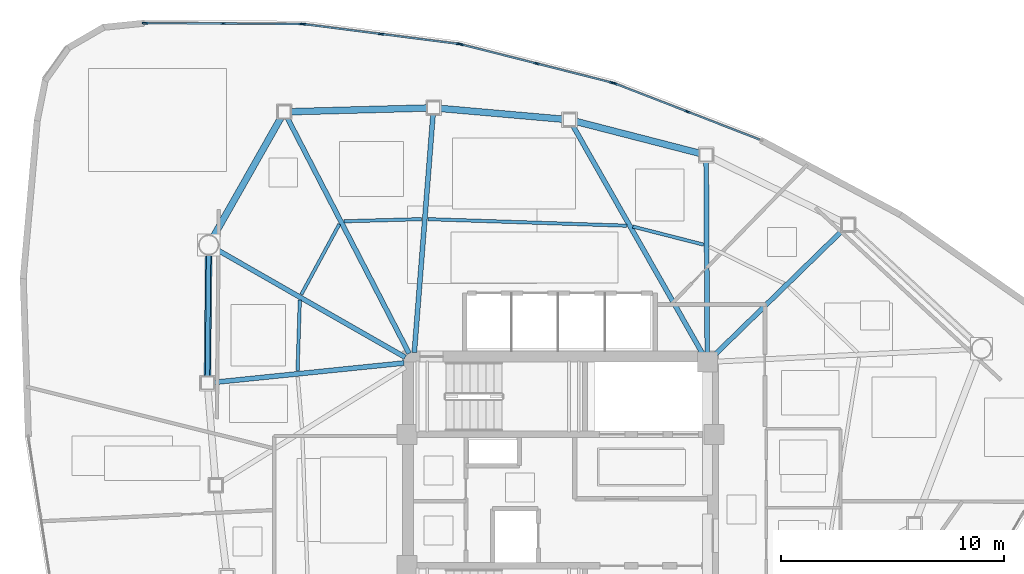
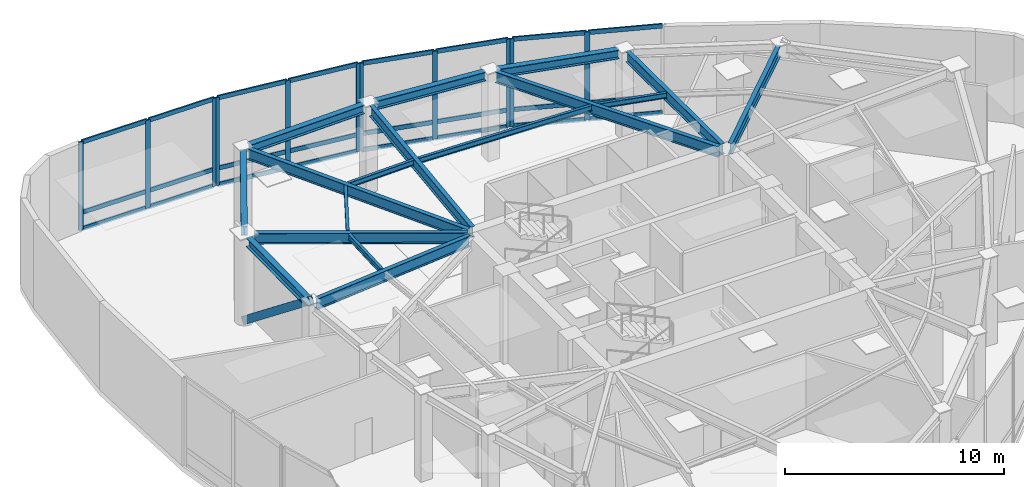
# One storey, part 5 of 12: 36 members, 17 beams, 4 elements without a shape of their own.
"""IFC4 building model written with IfcOpenShell, lengths in metres."""

from ifc_helpers import new_model, si_unit, direction, frame, origin, origin_2d, place, context, subcontext, project, spatial, hollow_rectangle, i_section, extrude, source, transform, mapped, material, layer, layer_set, material_profile, profile_set, type_object, type_shapes, element, aggregate, save


model = new_model("IFC4")

# Units and contexts
model_context = context("Model", 3, precision=1e-05, world=origin(), true_north=direction((0.0, 1.0)))
body_context = subcontext(model_context, "Body", "Model", "MODEL_VIEW")
ifc_project = project(units=[si_unit("LENGTHUNIT", "METRE"), si_unit("AREAUNIT", "SQUARE_METRE"), si_unit("VOLUMEUNIT", "CUBIC_METRE"), si_unit("PLANEANGLEUNIT", "RADIAN"), si_unit("MASSUNIT", "GRAM", prefix="KILO")], contexts=[model_context])

# Site, building, storey
site_placement = place(None, origin())
site = spatial("IfcSite", under=ifc_project, at=site_placement, CompositionType="ELEMENT")
building_placement = place(site_placement, origin())
building = spatial("IfcBuilding", under=site, at=building_placement, Name="Tavelor Broadcast Tower", CompositionType="ELEMENT")
storey_placement = place(building_placement, frame((0.0, 0.0, 216.949951171875)))
storey = spatial("IfcBuildingStorey", under=building, at=storey_placement, Name="L51", CompositionType="ELEMENT", Elevation=216.949951171875)

# Beams
ifc_material_1 = material(Name="Steel S355", Category="steel")
ifc_material_profile_1 = material_profile(ifc_material_1, i_section(OverallWidth=0.14990234375, OverallDepth=0.300048828125, WebThickness=0.007080078125, FlangeThickness=0.0107421875, at=origin_2d()), Name="IPE 300")
ifc_profile_set_1 = profile_set([ifc_material_profile_1], Name="Steel S355")
beam_type_1 = type_object("IfcBeamType", Name="Composite Floor Joist T5 IPE 300", PredefinedType="JOIST", material=ifc_profile_set_1)
beam_1_placement = place(storey_placement, frame((38.289794921875, 53.978515625, 4.75), z_axis=(-0.031859396157, -0.999492360589, 0.0), x_axis=(0.999492360589, -0.031859396157, 0.0)))
element("IfcBeam", 1, at=beam_1_placement, inside=storey, type_object=beam_type_1, Name="L51 Secondary Composite Floor Joist 01", PredefinedType="JOIST", context=body_context, shape_type="SweptSolid", body=[
    extrude(i_section(OverallWidth=0.14990234375, OverallDepth=0.300048828125, WebThickness=0.007080078125, FlangeThickness=0.0107421875, at=origin_2d()), origin(), (0.0, 0.0, 1.0), 3.172607421875),
])
beam_2_placement = place(storey_placement, frame((56.434326171875, 56.4736328125, 4.75), z_axis=(-0.968901023903, 0.247448592399, 0.0), x_axis=(-0.247448592399, -0.968901023903, 0.0)))
element("IfcBeam", 2, at=beam_2_placement, inside=storey, type_object=beam_type_1, Name="L51 Secondary Composite Floor Joist 15", PredefinedType="JOIST", context=body_context, shape_type="SweptSolid", body=[
    extrude(i_section(OverallWidth=0.14990234375, OverallDepth=0.300048828125, WebThickness=0.007080078125, FlangeThickness=0.0107421875, at=origin_2d()), origin(), (0.0, 0.0, 1.0), 3.283447265625),
])
beam_3_placement = place(storey_placement, frame((52.978515625, 57.3251953125, 4.75), z_axis=(-0.999455526468, 0.032994705837, 0.0), x_axis=(-0.032994705837, -0.999455526468, 0.0)))
element("IfcBeam", 3, at=beam_3_placement, inside=storey, type_object=beam_type_1, Name="L51 Secondary Composite Floor Joist 16", PredefinedType="JOIST", context=body_context, shape_type="SweptSolid", body=[
    extrude(i_section(OverallWidth=0.14990234375, OverallDepth=0.300048828125, WebThickness=0.007080078125, FlangeThickness=0.0107421875, at=origin_2d()), origin(), (0.0, 0.0, 1.0), 8.9384765625),
])
beam_4_placement = place(storey_placement, frame((43.76611328125, 57.620849609375, 4.75), z_axis=(-0.999611398275, -0.027875660324, 0.0), x_axis=(0.027875660324, -0.999611398275, 0.0)))
element("IfcBeam", 4, at=beam_4_placement, inside=storey, type_object=beam_type_1, Name="L51 Secondary Composite Floor Joist 17", PredefinedType="JOIST", context=body_context, shape_type="SweptSolid", body=[
    extrude(i_section(OverallWidth=0.14990234375, OverallDepth=0.300048828125, WebThickness=0.007080078125, FlangeThickness=0.0107421875, at=origin_2d()), origin(), (0.0, 0.0, 1.0), 3.49462890625),
])
beam_5_placement = place(storey_placement, frame((40.0673828125, 57.39697265625, 4.75), z_axis=(-0.475640833171, -0.879639584046, 0.0), x_axis=(0.879639584046, -0.475640833171, 0.0)))
element("IfcBeam", 5, at=beam_5_placement, inside=storey, type_object=beam_type_1, Name="L51 Secondary Composite Floor Joist 18", PredefinedType="JOIST", context=body_context, shape_type="SweptSolid", body=[
    extrude(i_section(OverallWidth=0.14990234375, OverallDepth=0.300048828125, WebThickness=0.007080078125, FlangeThickness=0.0107421875, at=origin_2d()), origin(), (0.0, 0.0, 1.0), 3.58837890625),
])
ifc_material_profile_2 = material_profile(ifc_material_1, i_section(OverallWidth=0.300048828125, OverallDepth=0.489990234375, WebThickness=0.011962890625, FlangeThickness=0.02294921875, at=origin_2d()), Name="HEA 500")
ifc_profile_set_2 = profile_set([ifc_material_profile_2], Name="Steel S355")
beam_type_2 = type_object("IfcBeamType", Name="Perimeter Spandrel Beam T5 HEA 500", PredefinedType="SPANDREL", material=ifc_profile_set_2)
beam_6_placement = place(storey_placement, frame((34.192138671875, 56.021240234375, 4.655029296875), z_axis=(-0.009538233347, -0.999954510018, 0.0), x_axis=(0.999954510018, -0.009538233347, 0.0)))
element("IfcBeam", 6, at=beam_6_placement, inside=storey, type_object=beam_type_2, Name="L51 Framed-Tube Ring Spandrel 01", PredefinedType="SPANDREL", context=body_context, shape_type="SweptSolid", body=[
    extrude(i_section(OverallWidth=0.300048828125, OverallDepth=0.489990234375, WebThickness=0.011962890625, FlangeThickness=0.02294921875, at=origin_2d()), origin(), (0.0, 0.0, 1.0), 5.4775390625),
])
beam_7_placement = place(storey_placement, frame((56.2666015625, 60.575927734375, 4.655029296875), z_axis=(-0.968398561847, 0.249407749304, 0.0), x_axis=(-0.249407749304, -0.968398561847, 0.0)))
element("IfcBeam", 7, at=beam_7_placement, inside=storey, type_object=beam_type_2, Name="L51 Framed-Tube Ring Spandrel 15", PredefinedType="SPANDREL", context=body_context, shape_type="SweptSolid", body=[
    extrude(i_section(OverallWidth=0.300048828125, OverallDepth=0.489990234375, WebThickness=0.011962890625, FlangeThickness=0.02294921875, at=origin_2d()), origin(), (0.0, 0.0, 1.0), 5.7626953125),
])
beam_8_placement = place(storey_placement, frame((50.120361328125, 62.110107421875, 4.655029296875), z_axis=(-0.996165524703, 0.087488555787, 0.0), x_axis=(-0.087488555787, -0.996165524703, 0.0)))
element("IfcBeam", 8, at=beam_8_placement, inside=storey, type_object=beam_type_2, Name="L51 Framed-Tube Ring Spandrel 16", PredefinedType="SPANDREL", context=body_context, shape_type="SweptSolid", body=[
    extrude(i_section(OverallWidth=0.300048828125, OverallDepth=0.489990234375, WebThickness=0.011962890625, FlangeThickness=0.02294921875, at=origin_2d()), origin(), (0.0, 0.0, 1.0), 5.555908203125),
])
beam_9_placement = place(storey_placement, frame((44.010986328125, 62.613525390625, 4.655029296875), z_axis=(-0.999631563069, -0.027142920174, 0.0), x_axis=(0.027142920174, -0.999631563069, 0.0)))
element("IfcBeam", 9, at=beam_9_placement, inside=storey, type_object=beam_type_2, Name="L51 Framed-Tube Ring Spandrel 17", PredefinedType="SPANDREL", context=body_context, shape_type="SweptSolid", body=[
    extrude(i_section(OverallWidth=0.300048828125, OverallDepth=0.489990234375, WebThickness=0.011962890625, FlangeThickness=0.02294921875, at=origin_2d()), origin(), (0.0, 0.0, 1.0), 6.13427734375),
])
beam_10_placement = place(storey_placement, frame((37.44873046875, 62.188720703125, 4.655029296875), z_axis=(-0.49368262273, -0.869642149401, 0.0), x_axis=(0.869642149401, -0.49368262273, 0.0)))
element("IfcBeam", 10, at=beam_10_placement, inside=storey, type_object=beam_type_2, Name="L51 Framed-Tube Ring Spandrel 18", PredefinedType="SPANDREL", context=body_context, shape_type="SweptSolid", body=[
    extrude(i_section(OverallWidth=0.300048828125, OverallDepth=0.489990234375, WebThickness=0.011962890625, FlangeThickness=0.02294921875, at=origin_2d()), origin(), (0.0, 0.0, 1.0), 6.14892578125),
])

# Member
ifc_material_profile_3 = material_profile(ifc_material_1, hollow_rectangle(XDim=0.199951171875, YDim=0.39990234375, WallThickness=0.01611328125, at=origin_2d()), Name="RHS 400x200x16")
ifc_profile_set_3 = profile_set([ifc_material_profile_3], Name="Steel S355")
member_type_1 = type_object("IfcMemberType", Name="Perimeter Tube Brace T5 RHS 400x200x16", PredefinedType="BRACE", material=ifc_profile_set_3)
member_1_placement = place(storey_placement, frame((34.1962890625, 56.4599609375, 0.0), z_axis=(-0.007473004616, -0.784727245005, 0.619796180328), x_axis=(0.999954658748, -0.009522628184, 0.0)))
element("IfcMember", 11, at=member_1_placement, inside=storey, type_object=member_type_1, Name="L51 Corner Tube Diagonal Brace 1", PredefinedType="BRACE", context=body_context, shape_type="SweptSolid", body=[
    extrude(hollow_rectangle(XDim=0.199951171875, YDim=0.39990234375, WallThickness=0.01611328125, at=origin_2d()), origin(), (0.0, 0.0, 1.0), 7.906005859375),
])

# Beams
ifc_material_profile_4 = material_profile(ifc_material_1, i_section(OverallWidth=0.219970703125, OverallDepth=0.60009765625, WebThickness=0.011962890625, FlangeThickness=0.01904296875, at=origin_2d()), Name="IPE 600")
ifc_profile_set_4 = profile_set([ifc_material_profile_4], Name="Steel S355")
beam_type_3 = type_object("IfcBeamType", Name="Radial Floor Girder T5 IPE 600", PredefinedType="BEAM", material=ifc_profile_set_4)
beam_11_placement = place(storey_placement, frame((43.02490234375, 51.414306640625, 4.60009765625), z_axis=(-0.868210713595, 0.496195683979, 0.0), x_axis=(-0.496195683979, -0.868210713595, 0.0)))
element("IfcBeam", 12, at=beam_11_placement, inside=storey, type_object=beam_type_3, Name="L51 Radial Primary Floor Girder 01", PredefinedType="BEAM", context=body_context, shape_type="SweptSolid", body=[
    extrude(i_section(OverallWidth=0.219970703125, OverallDepth=0.60009765625, WebThickness=0.011962890625, FlangeThickness=0.01904296875, at=origin_2d()), origin(), (0.0, 0.0, 1.0), 9.729736328125),
])
beam_12_placement = place(storey_placement, frame((42.97021484375, 51.15625, 4.60009765625), z_axis=(-0.994846025553, -0.101397166829, 0.0), x_axis=(0.101397166829, -0.994846025553, 0.0)))
element("IfcBeam", 13, at=beam_12_placement, inside=storey, type_object=beam_type_3, Name="L51 Radial Primary Floor Girder 02", PredefinedType="BEAM", context=body_context, shape_type="SweptSolid", body=[
    extrude(i_section(OverallWidth=0.219970703125, OverallDepth=0.60009765625, WebThickness=0.011962890625, FlangeThickness=0.01904296875, at=origin_2d()), origin(), (0.0, 0.0, 1.0), 8.5908203125),
])
beam_13_placement = place(storey_placement, frame((56.909423828125, 51.50146484375, 4.60009765625), z_axis=(0.716299388852, 0.697793082175, 0.0), x_axis=(-0.697793082175, 0.716299388852, 0.0)))
element("IfcBeam", 14, at=beam_13_placement, inside=storey, type_object=beam_type_3, Name="L51 Radial Primary Floor Girder 14", PredefinedType="BEAM", context=body_context, shape_type="SweptSolid", body=[
    extrude(i_section(OverallWidth=0.219970703125, OverallDepth=0.60009765625, WebThickness=0.011962890625, FlangeThickness=0.01904296875, at=origin_2d()), origin(), (0.0, 0.0, 1.0), 8.11328125),
])
beam_14_placement = place(storey_placement, frame((56.597412109375, 51.632080078125, 4.60009765625), z_axis=(-0.005830390092, 0.999983003131, 0.0), x_axis=(-0.999983003131, -0.005830390092, 0.0)))
element("IfcBeam", 15, at=beam_14_placement, inside=storey, type_object=beam_type_3, Name="L51 Radial Primary Floor Girder 15", PredefinedType="BEAM", context=body_context, shape_type="SweptSolid", body=[
    extrude(i_section(OverallWidth=0.219970703125, OverallDepth=0.60009765625, WebThickness=0.011962890625, FlangeThickness=0.01904296875, at=origin_2d()), origin(), (0.0, 0.0, 1.0), 8.584228515625),
])
beam_15_placement = place(storey_placement, frame((56.386474609375, 51.575439453125, 4.60009765625), z_axis=(-0.49450754608, 0.869173335342, 0.0), x_axis=(-0.869173335342, -0.49450754608, 0.0)))
element("IfcBeam", 16, at=beam_15_placement, inside=storey, type_object=beam_type_3, Name="L51 Radial Primary Floor Girder 16", PredefinedType="BEAM", context=body_context, shape_type="SweptSolid", body=[
    extrude(i_section(OverallWidth=0.219970703125, OverallDepth=0.60009765625, WebThickness=0.011962890625, FlangeThickness=0.01904296875, at=origin_2d()), origin(), (0.0, 0.0, 1.0), 11.803466796875),
])
beam_16_placement = place(storey_placement, frame((43.433837890625, 51.630615234375, 4.60009765625), z_axis=(0.078449146994, 0.996918116666, 0.0), x_axis=(-0.996918116666, 0.078449146994, 0.0)))
element("IfcBeam", 17, at=beam_16_placement, inside=storey, type_object=beam_type_3, Name="L51 Radial Primary Floor Girder 17", PredefinedType="BEAM", context=body_context, shape_type="SweptSolid", body=[
    extrude(i_section(OverallWidth=0.219970703125, OverallDepth=0.60009765625, WebThickness=0.011962890625, FlangeThickness=0.01904296875, at=origin_2d()), origin(), (0.0, 0.0, 1.0), 10.73681640625),
])
beam_17_placement = place(storey_placement, frame((43.20166015625, 51.583740234375, 4.60009765625), z_axis=(-0.459155708723, 0.888355804364, 0.0), x_axis=(-0.888355804364, -0.459155708723, 0.0)))
element("IfcBeam", 18, at=beam_17_placement, inside=storey, type_object=beam_type_3, Name="L51 Radial Primary Floor Girder 18", PredefinedType="BEAM", context=body_context, shape_type="SweptSolid", body=[
    extrude(i_section(OverallWidth=0.219970703125, OverallDepth=0.60009765625, WebThickness=0.011962890625, FlangeThickness=0.01904296875, at=origin_2d()), origin(), (0.0, 0.0, 1.0), 11.931640625),
])

# Curtain wall, members
ifc_material_2 = material(Name="Architectural Anodized Aluminium", Category="aluminium")
ifc_layer = layer(ifc_material_2, 0.239990234375)
ifc_layer_set = layer_set([ifc_layer], Name="Architectural Anodized Aluminium")
curtain_wall_type = type_object("IfcCurtainWallType", Name="Sky Lobby Feature Structural Curtain Wall CW05", PredefinedType="NOTDEFINED", material=ifc_layer_set)
curtain_wall_1_placement = place(storey_placement, origin())
curtain_wall_1 = element("IfcCurtainWall", 19, at=curtain_wall_1_placement, inside=storey, type_object=curtain_wall_type, Name="L51 Curtain Wall CW05 Run 549", PredefinedType="NOTDEFINED")
ifc_material_profile_5 = material_profile(ifc_material_2, hollow_rectangle(XDim=0.080078125, YDim=0.239990234375, WallThickness=0.02197265625, at=origin_2d()), Name="RHS 80x240x22")
ifc_profile_set_5 = profile_set([ifc_material_profile_5], Name="Architectural Anodized Aluminium")
member_type_2 = type_object("IfcMemberType", Name="CW05 Extruded Aluminium Mullion 80x240", PredefinedType="MULLION", material=ifc_profile_set_5)
shared_shape_1 = source(origin(), body_context, "Body", "SweptSolid", [
    extrude(hollow_rectangle(XDim=0.080078125, YDim=0.239990234375, WallThickness=0.02197265625, at=origin_2d()), origin(), (0.0, 0.0, 1.0), 4.900146484375),
])
type_shapes(member_type_2, [shared_shape_1])
member_2_placement = place(storey_placement, frame((55.705810546875, 62.44873046875, 0.0), z_axis=(0.0, 0.0, 1.0), x_axis=(-0.361225907102, -0.932478334353, 0.0)))
member_2 = element("IfcMember", 20, at=member_2_placement, type_object=member_type_2, Name="CW05 mullion 2", PredefinedType="MULLION", context=body_context, shape_type="MappedRepresentation", body=[
    mapped(shared_shape_1, transform((0.0, 0.0, 0.0), scale=1.0)),
])
member_3_placement = place(storey_placement, frame((52.43115234375, 63.71728515625, 0.0), z_axis=(0.0, 0.0, 1.0), x_axis=(-0.361225907102, -0.932478334353, 0.0)))
member_3 = element("IfcMember", 21, at=member_3_placement, type_object=member_type_2, Name="CW05 mullion 3", PredefinedType="MULLION", context=body_context, shape_type="MappedRepresentation", body=[
    mapped(shared_shape_1, transform((0.0, 0.0, 0.0), scale=1.0)),
])

curtain_wall_2_placement = place(storey_placement, origin())
curtain_wall_2 = element("IfcCurtainWall", 22, at=curtain_wall_2_placement, inside=storey, type_object=curtain_wall_type, Name="L51 Curtain Wall CW05 Run 550", PredefinedType="NOTDEFINED")
member_4_placement = place(storey_placement, frame((52.326416015625, 63.750732421875, 0.0), z_axis=(0.0, 0.0, 1.0), x_axis=(-0.245724081049, -0.969339814509, 0.0)))
member_4 = element("IfcMember", 23, at=member_4_placement, type_object=member_type_2, Name="CW05 mullion 1", PredefinedType="MULLION", context=body_context, shape_type="MappedRepresentation", body=[
    mapped(shared_shape_1, transform((0.0, 0.0, 0.0), scale=1.0)),
])
member_5_placement = place(storey_placement, frame((48.929443359375, 64.61181640625, 0.0), z_axis=(0.0, 0.0, 1.0), x_axis=(-0.245724081049, -0.969339814509, 0.0)))
member_5 = element("IfcMember", 24, at=member_5_placement, type_object=member_type_2, Name="CW05 mullion 2", PredefinedType="MULLION", context=body_context, shape_type="MappedRepresentation", body=[
    mapped(shared_shape_1, transform((0.0, 0.0, 0.0), scale=1.0)),
])
member_6_placement = place(storey_placement, frame((45.532470703125, 65.472900390625, 0.0), z_axis=(0.0, 0.0, 1.0), x_axis=(-0.245724081049, -0.969339814509, 0.0)))
member_6 = element("IfcMember", 25, at=member_6_placement, type_object=member_type_2, Name="CW05 mullion 3", PredefinedType="MULLION", context=body_context, shape_type="MappedRepresentation", body=[
    mapped(shared_shape_1, transform((0.0, 0.0, 0.0), scale=1.0)),
])

curtain_wall_3_placement = place(storey_placement, origin())
curtain_wall_3 = element("IfcCurtainWall", 26, at=curtain_wall_3_placement, inside=storey, type_object=curtain_wall_type, Name="L51 Curtain Wall CW05 Run 551", PredefinedType="NOTDEFINED")
member_7_placement = place(storey_placement, frame((45.4248046875, 65.493408203125, 0.0), z_axis=(0.0, 0.0, 1.0), x_axis=(-0.126621254934, -0.9919511368, 0.0)))
member_7 = element("IfcMember", 27, at=member_7_placement, type_object=member_type_2, Name="CW05 mullion 1", PredefinedType="MULLION", context=body_context, shape_type="MappedRepresentation", body=[
    mapped(shared_shape_1, transform((0.0, 0.0, 0.0), scale=1.0)),
])
member_8_placement = place(storey_placement, frame((41.948486328125, 65.937255859375, 0.0), z_axis=(0.0, 0.0, 1.0), x_axis=(-0.126621254934, -0.9919511368, 0.0)))
member_8 = element("IfcMember", 28, at=member_8_placement, type_object=member_type_2, Name="CW05 mullion 2", PredefinedType="MULLION", context=body_context, shape_type="MappedRepresentation", body=[
    mapped(shared_shape_1, transform((0.0, 0.0, 0.0), scale=1.0)),
])
member_9_placement = place(storey_placement, frame((38.47216796875, 66.380859375, 0.0), z_axis=(0.0, 0.0, 1.0), x_axis=(-0.126621254934, -0.9919511368, 0.0)))
member_9 = element("IfcMember", 29, at=member_9_placement, type_object=member_type_2, Name="CW05 mullion 3", PredefinedType="MULLION", context=body_context, shape_type="MappedRepresentation", body=[
    mapped(shared_shape_1, transform((0.0, 0.0, 0.0), scale=1.0)),
])

curtain_wall_4_placement = place(storey_placement, origin())
curtain_wall_4 = element("IfcCurtainWall", 30, at=curtain_wall_4_placement, inside=storey, type_object=curtain_wall_type, Name="L51 Curtain Wall CW05 Run 552", PredefinedType="NOTDEFINED")
member_10_placement = place(storey_placement, frame((38.36279296875, 66.38818359375, 0.0), z_axis=(0.0, 0.0, 1.0), x_axis=(-0.005658215315, -0.999983992172, 0.0)))
member_10 = element("IfcMember", 31, at=member_10_placement, type_object=member_type_2, Name="CW05 mullion 1", PredefinedType="MULLION", context=body_context, shape_type="MappedRepresentation", body=[
    mapped(shared_shape_1, transform((0.0, 0.0, 0.0), scale=1.0)),
])
member_11_placement = place(storey_placement, frame((34.850341796875, 66.407958984375, 0.0), z_axis=(0.0, 0.0, 1.0), x_axis=(-0.005658215315, -0.999983992172, 0.0)))
member_11 = element("IfcMember", 32, at=member_11_placement, type_object=member_type_2, Name="CW05 mullion 2", PredefinedType="MULLION", context=body_context, shape_type="MappedRepresentation", body=[
    mapped(shared_shape_1, transform((0.0, 0.0, 0.0), scale=1.0)),
])
member_12_placement = place(storey_placement, frame((31.338134765625, 66.427978515625, 0.0), z_axis=(0.0, 0.0, 1.0), x_axis=(-0.005658215315, -0.999983992172, 0.0)))
member_12 = element("IfcMember", 33, at=member_12_placement, type_object=member_type_2, Name="CW05 mullion 3", PredefinedType="MULLION", context=body_context, shape_type="MappedRepresentation", body=[
    mapped(shared_shape_1, transform((0.0, 0.0, 0.0), scale=1.0)),
])

# Member
ifc_material_profile_6 = material_profile(ifc_material_2, hollow_rectangle(XDim=0.080078125, YDim=0.239990234375, WallThickness=0.02197265625, at=origin_2d()), Name="RHS 80x240x22")
ifc_profile_set_6 = profile_set([ifc_material_profile_6], Name="Architectural Anodized Aluminium")
member_type_3 = type_object("IfcMemberType", Name="CW05 Extruded Aluminium Transom 80x240", PredefinedType="USERDEFINED", material=ifc_profile_set_6)
shared_shape_2 = source(origin(), body_context, "Body", "SweptSolid", [
    extrude(hollow_rectangle(XDim=0.080078125, YDim=0.239990234375, WallThickness=0.02197265625, at=origin_2d()), origin(), (0.0, 0.0, 1.0), 3.431884765625),
])
member_13_placement = place(storey_placement, frame((58.943359375, 61.194580078125, 0.0400390625), z_axis=(-0.932473816999, 0.361237568105, 0.0), x_axis=(-0.361237568105, -0.932473816999, 0.0)))
member_13 = element("IfcMember", 34, at=member_13_placement, type_object=member_type_3, Name="CW05 transom 1.1", ObjectType="TRANSOM", PredefinedType="USERDEFINED", context=body_context, shape_type="MappedRepresentation", body=[
    mapped(shared_shape_2, transform((0.0, 0.0, 0.0), scale=1.0)),
])

member_14_placement = place(storey_placement, frame((58.943359375, 61.194580078125, 0.949951171875), z_axis=(-0.932473816999, 0.361237568105, 0.0), x_axis=(-0.361237568105, -0.932473816999, 0.0)))
member_14 = element("IfcMember", 35, at=member_14_placement, type_object=member_type_3, Name="CW05 transom 1.2", ObjectType="TRANSOM", PredefinedType="USERDEFINED", context=body_context, shape_type="MappedRepresentation", body=[
    mapped(shared_shape_2, transform((0.0, 0.0, 0.0), scale=1.0)),
])

member_15_placement = place(storey_placement, frame((58.943359375, 61.194580078125, 4.860107421875), z_axis=(-0.932473816999, 0.361237568105, 0.0), x_axis=(-0.361237568105, -0.932473816999, 0.0)))
member_15 = element("IfcMember", 36, at=member_15_placement, type_object=member_type_3, Name="CW05 transom 1.3", ObjectType="TRANSOM", PredefinedType="USERDEFINED", context=body_context, shape_type="MappedRepresentation", body=[
    mapped(shared_shape_2, transform((0.0, 0.0, 0.0), scale=1.0)),
])

member_16_placement = place(storey_placement, frame((55.668701171875, 62.463134765625, 0.0400390625), z_axis=(-0.932473816999, 0.361237568105, 0.0), x_axis=(-0.361237568105, -0.932473816999, 0.0)))
member_16 = element("IfcMember", 37, at=member_16_placement, type_object=member_type_3, Name="CW05 transom 2.1", ObjectType="TRANSOM", PredefinedType="USERDEFINED", context=body_context, shape_type="MappedRepresentation", body=[
    mapped(shared_shape_2, transform((0.0, 0.0, 0.0), scale=1.0)),
])

member_17_placement = place(storey_placement, frame((55.668701171875, 62.463134765625, 0.949951171875), z_axis=(-0.932473816999, 0.361237568105, 0.0), x_axis=(-0.361237568105, -0.932473816999, 0.0)))
member_17 = element("IfcMember", 38, at=member_17_placement, type_object=member_type_3, Name="CW05 transom 2.2", ObjectType="TRANSOM", PredefinedType="USERDEFINED", context=body_context, shape_type="MappedRepresentation", body=[
    mapped(shared_shape_2, transform((0.0, 0.0, 0.0), scale=1.0)),
])

member_18_placement = place(storey_placement, frame((55.668701171875, 62.463134765625, 4.860107421875), z_axis=(-0.932473816999, 0.361237568105, 0.0), x_axis=(-0.361237568105, -0.932473816999, 0.0)))
member_18 = element("IfcMember", 39, at=member_18_placement, type_object=member_type_3, Name="CW05 transom 2.3", ObjectType="TRANSOM", PredefinedType="USERDEFINED", context=body_context, shape_type="MappedRepresentation", body=[
    mapped(shared_shape_2, transform((0.0, 0.0, 0.0), scale=1.0)),
])

aggregate(curtain_wall_1, [member_2, member_3, member_13, member_14, member_15, member_16, member_17, member_18])

shared_shape_3 = source(origin(), body_context, "Body", "SweptSolid", [
    extrude(hollow_rectangle(XDim=0.080078125, YDim=0.239990234375, WallThickness=0.02197265625, at=origin_2d()), origin(), (0.0, 0.0, 1.0), 3.42431640625),
])
member_19_placement = place(storey_placement, frame((45.385009765625, 65.49853515625, 0.0400390625), z_axis=(-0.991950922851, 0.126622930999, 0.0), x_axis=(-0.126622930999, -0.991950922851, 0.0)))
member_19 = element("IfcMember", 40, at=member_19_placement, type_object=member_type_3, Name="CW05 transom 1.1", ObjectType="TRANSOM", PredefinedType="USERDEFINED", context=body_context, shape_type="MappedRepresentation", body=[
    mapped(shared_shape_3, transform((0.0, 0.0, 0.0), scale=1.0)),
])

member_20_placement = place(storey_placement, frame((45.385009765625, 65.49853515625, 0.949951171875), z_axis=(-0.991950922851, 0.126622930999, 0.0), x_axis=(-0.126622930999, -0.991950922851, 0.0)))
member_20 = element("IfcMember", 41, at=member_20_placement, type_object=member_type_3, Name="CW05 transom 1.2", ObjectType="TRANSOM", PredefinedType="USERDEFINED", context=body_context, shape_type="MappedRepresentation", body=[
    mapped(shared_shape_3, transform((0.0, 0.0, 0.0), scale=1.0)),
])

member_21_placement = place(storey_placement, frame((45.385009765625, 65.49853515625, 4.860107421875), z_axis=(-0.991950922851, 0.126622930999, 0.0), x_axis=(-0.126622930999, -0.991950922851, 0.0)))
member_21 = element("IfcMember", 42, at=member_21_placement, type_object=member_type_3, Name="CW05 transom 1.3", ObjectType="TRANSOM", PredefinedType="USERDEFINED", context=body_context, shape_type="MappedRepresentation", body=[
    mapped(shared_shape_3, transform((0.0, 0.0, 0.0), scale=1.0)),
])

shared_shape_4 = source(origin(), body_context, "Body", "SweptSolid", [
    extrude(hollow_rectangle(XDim=0.080078125, YDim=0.239990234375, WallThickness=0.02197265625, at=origin_2d()), origin(), (0.0, 0.0, 1.0), 3.424560546875),
])
member_22_placement = place(storey_placement, frame((52.287841796875, 63.760498046875, 0.0400390625), z_axis=(-0.969336240594, 0.245738179108, 0.0), x_axis=(-0.245738179108, -0.969336240594, 0.0)))
member_22 = element("IfcMember", 43, at=member_22_placement, type_object=member_type_3, Name="CW05 transom 1.1", ObjectType="TRANSOM", PredefinedType="USERDEFINED", context=body_context, shape_type="MappedRepresentation", body=[
    mapped(shared_shape_4, transform((0.0, 0.0, 0.0), scale=1.0)),
])

member_23_placement = place(storey_placement, frame((52.287841796875, 63.760498046875, 0.949951171875), z_axis=(-0.969336240594, 0.245738179108, 0.0), x_axis=(-0.245738179108, -0.969336240594, 0.0)))
member_23 = element("IfcMember", 44, at=member_23_placement, type_object=member_type_3, Name="CW05 transom 1.2", ObjectType="TRANSOM", PredefinedType="USERDEFINED", context=body_context, shape_type="MappedRepresentation", body=[
    mapped(shared_shape_4, transform((0.0, 0.0, 0.0), scale=1.0)),
])

member_24_placement = place(storey_placement, frame((52.287841796875, 63.760498046875, 4.860107421875), z_axis=(-0.969336240594, 0.245738179108, 0.0), x_axis=(-0.245738179108, -0.969336240594, 0.0)))
member_24 = element("IfcMember", 45, at=member_24_placement, type_object=member_type_3, Name="CW05 transom 1.3", ObjectType="TRANSOM", PredefinedType="USERDEFINED", context=body_context, shape_type="MappedRepresentation", body=[
    mapped(shared_shape_4, transform((0.0, 0.0, 0.0), scale=1.0)),
])

member_25_placement = place(storey_placement, frame((48.890869140625, 64.62158203125, 0.0400390625), z_axis=(-0.969336240594, 0.245738179108, 0.0), x_axis=(-0.245738179108, -0.969336240594, 0.0)))
member_25 = element("IfcMember", 46, at=member_25_placement, type_object=member_type_3, Name="CW05 transom 2.1", ObjectType="TRANSOM", PredefinedType="USERDEFINED", context=body_context, shape_type="MappedRepresentation", body=[
    mapped(shared_shape_4, transform((0.0, 0.0, 0.0), scale=1.0)),
])

member_26_placement = place(storey_placement, frame((48.890869140625, 64.62158203125, 0.949951171875), z_axis=(-0.969336240594, 0.245738179108, 0.0), x_axis=(-0.245738179108, -0.969336240594, 0.0)))
member_26 = element("IfcMember", 47, at=member_26_placement, type_object=member_type_3, Name="CW05 transom 2.2", ObjectType="TRANSOM", PredefinedType="USERDEFINED", context=body_context, shape_type="MappedRepresentation", body=[
    mapped(shared_shape_4, transform((0.0, 0.0, 0.0), scale=1.0)),
])

member_27_placement = place(storey_placement, frame((48.890869140625, 64.62158203125, 4.860107421875), z_axis=(-0.969336240594, 0.245738179108, 0.0), x_axis=(-0.245738179108, -0.969336240594, 0.0)))
member_27 = element("IfcMember", 48, at=member_27_placement, type_object=member_type_3, Name="CW05 transom 2.3", ObjectType="TRANSOM", PredefinedType="USERDEFINED", context=body_context, shape_type="MappedRepresentation", body=[
    mapped(shared_shape_4, transform((0.0, 0.0, 0.0), scale=1.0)),
])

aggregate(curtain_wall_2, [member_4, member_5, member_6, member_22, member_23, member_24, member_25, member_26, member_27])

member_28_placement = place(storey_placement, frame((41.908935546875, 65.9423828125, 0.0400390625), z_axis=(-0.991952065856, 0.126613976496, 0.0), x_axis=(-0.126613976496, -0.991952065856, 0.0)))
member_28 = element("IfcMember", 49, at=member_28_placement, type_object=member_type_3, Name="CW05 transom 2.1", ObjectType="TRANSOM", PredefinedType="USERDEFINED", context=body_context, shape_type="MappedRepresentation", body=[
    mapped(shared_shape_4, transform((0.0, 0.0, 0.0), scale=1.0)),
])

member_29_placement = place(storey_placement, frame((41.908935546875, 65.9423828125, 0.949951171875), z_axis=(-0.991952065856, 0.126613976496, 0.0), x_axis=(-0.126613976496, -0.991952065856, 0.0)))
member_29 = element("IfcMember", 50, at=member_29_placement, type_object=member_type_3, Name="CW05 transom 2.2", ObjectType="TRANSOM", PredefinedType="USERDEFINED", context=body_context, shape_type="MappedRepresentation", body=[
    mapped(shared_shape_4, transform((0.0, 0.0, 0.0), scale=1.0)),
])

member_30_placement = place(storey_placement, frame((41.908935546875, 65.9423828125, 4.860107421875), z_axis=(-0.991952065856, 0.126613976496, 0.0), x_axis=(-0.126613976496, -0.991952065856, 0.0)))
member_30 = element("IfcMember", 51, at=member_30_placement, type_object=member_type_3, Name="CW05 transom 2.3", ObjectType="TRANSOM", PredefinedType="USERDEFINED", context=body_context, shape_type="MappedRepresentation", body=[
    mapped(shared_shape_4, transform((0.0, 0.0, 0.0), scale=1.0)),
])

aggregate(curtain_wall_3, [member_7, member_8, member_9, member_19, member_20, member_21, member_28, member_29, member_30])

shared_shape_5 = source(origin(), body_context, "Body", "SweptSolid", [
    extrude(hollow_rectangle(XDim=0.080078125, YDim=0.239990234375, WallThickness=0.02197265625, at=origin_2d()), origin(), (0.0, 0.0, 1.0), 3.432373046875),
])
member_31_placement = place(storey_placement, frame((38.32275390625, 66.388427734375, 0.0400390625), z_axis=(-0.999984212803, 0.005619087617, 0.0), x_axis=(-0.005619087617, -0.999984212803, 0.0)))
member_31 = element("IfcMember", 52, at=member_31_placement, type_object=member_type_3, Name="CW05 transom 1.1", ObjectType="TRANSOM", PredefinedType="USERDEFINED", context=body_context, shape_type="MappedRepresentation", body=[
    mapped(shared_shape_5, transform((0.0, 0.0, 0.0), scale=1.0)),
])

member_32_placement = place(storey_placement, frame((38.32275390625, 66.388427734375, 0.949951171875), z_axis=(-0.999984212803, 0.005619087617, 0.0), x_axis=(-0.005619087617, -0.999984212803, 0.0)))
member_32 = element("IfcMember", 53, at=member_32_placement, type_object=member_type_3, Name="CW05 transom 1.2", ObjectType="TRANSOM", PredefinedType="USERDEFINED", context=body_context, shape_type="MappedRepresentation", body=[
    mapped(shared_shape_5, transform((0.0, 0.0, 0.0), scale=1.0)),
])

member_33_placement = place(storey_placement, frame((38.32275390625, 66.388427734375, 4.860107421875), z_axis=(-0.999984212803, 0.005619087617, 0.0), x_axis=(-0.005619087617, -0.999984212803, 0.0)))
member_33 = element("IfcMember", 54, at=member_33_placement, type_object=member_type_3, Name="CW05 transom 1.3", ObjectType="TRANSOM", PredefinedType="USERDEFINED", context=body_context, shape_type="MappedRepresentation", body=[
    mapped(shared_shape_5, transform((0.0, 0.0, 0.0), scale=1.0)),
])

shared_shape_6 = source(origin(), body_context, "Body", "SweptSolid", [
    extrude(hollow_rectangle(XDim=0.080078125, YDim=0.239990234375, WallThickness=0.02197265625, at=origin_2d()), origin(), (0.0, 0.0, 1.0), 3.43212890625),
])
type_shapes(member_type_3, [shared_shape_2, shared_shape_3, shared_shape_4, shared_shape_5, shared_shape_6])
member_34_placement = place(storey_placement, frame((34.810302734375, 66.408203125, 0.0400390625), z_axis=(-0.999983808304, 0.005690617774, 0.0), x_axis=(-0.005690617774, -0.999983808304, 0.0)))
member_34 = element("IfcMember", 55, at=member_34_placement, type_object=member_type_3, Name="CW05 transom 2.1", ObjectType="TRANSOM", PredefinedType="USERDEFINED", context=body_context, shape_type="MappedRepresentation", body=[
    mapped(shared_shape_6, transform((0.0, 0.0, 0.0), scale=1.0)),
])

member_35_placement = place(storey_placement, frame((34.810302734375, 66.408203125, 0.949951171875), z_axis=(-0.999983808304, 0.005690617774, 0.0), x_axis=(-0.005690617774, -0.999983808304, 0.0)))
member_35 = element("IfcMember", 56, at=member_35_placement, type_object=member_type_3, Name="CW05 transom 2.2", ObjectType="TRANSOM", PredefinedType="USERDEFINED", context=body_context, shape_type="MappedRepresentation", body=[
    mapped(shared_shape_6, transform((0.0, 0.0, 0.0), scale=1.0)),
])

member_36_placement = place(storey_placement, frame((34.810302734375, 66.408203125, 4.860107421875), z_axis=(-0.999983808304, 0.005690617774, 0.0), x_axis=(-0.005690617774, -0.999983808304, 0.0)))
member_36 = element("IfcMember", 57, at=member_36_placement, type_object=member_type_3, Name="CW05 transom 2.3", ObjectType="TRANSOM", PredefinedType="USERDEFINED", context=body_context, shape_type="MappedRepresentation", body=[
    mapped(shared_shape_6, transform((0.0, 0.0, 0.0), scale=1.0)),
])

aggregate(curtain_wall_4, [member_10, member_11, member_12, member_31, member_32, member_33, member_34, member_35, member_36])

save(model, "model.ifc")
